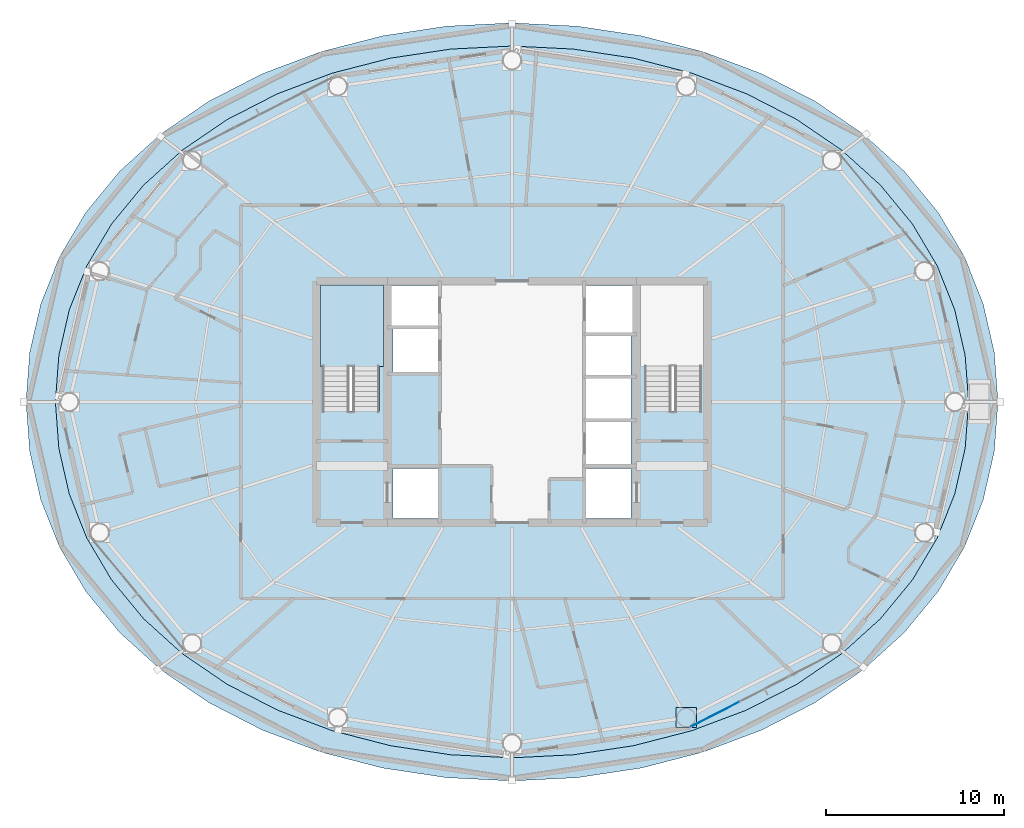
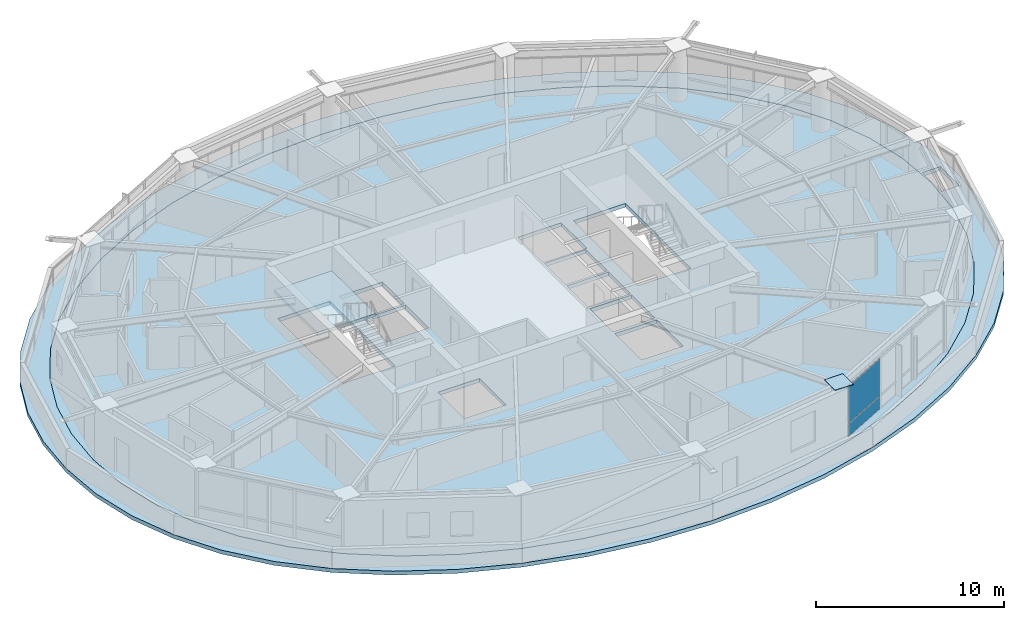
# One storey, part 13 of 22: 3 plates, 3 slabs, 2 elements without a shape of their own.
"""IFC4 building model written with IfcOpenShell, lengths in metres."""

import ifcopenshell
import ifcopenshell.guid

model = None  # the IFC model being written
_history = None  # IfcOwnerHistory: only IFC2X3 demands one
_inside = {}  # id of a spatial element -> (the spatial element, [elements in it])
_under = {}  # id of a project, library or spatial element -> (it, [spatial elements below it])
_declared = {}  # id of a project -> (the project, [libraries it declares])
_typed = {}  # id of a type object -> (the type object, [elements of that type])
_made_of = {}  # id of a material, layer set ... -> (it, [elements and type objects made of it])


def new_model(schema):
    """Start an empty IFC model of exactly this schema.

    Asked for "IFC4X3", IfcOpenShell would pick the latest addendum, in which some entities
    have other attributes; the version numbers below select the first issue.
    IFC2X3 requires an IfcOwnerHistory on every rooted entity: one is made here for all.
    """
    global model, _history
    if schema == "IFC4X3":
        model = ifcopenshell.file(schema_version=(4, 3, 0, 0))
    else:
        model = ifcopenshell.file(schema=schema)
    _inside.clear()
    _under.clear()
    _declared.clear()
    _typed.clear()
    _made_of.clear()
    _history = None
    if model.schema == "IFC2X3":
        org = make("IfcOrganization", Name="unknown")
        user = make(
            "IfcPersonAndOrganization",
            ThePerson=make("IfcPerson", FamilyName="unknown"),
            TheOrganization=org,
        )
        app = make(
            "IfcApplication",
            ApplicationDeveloper=org,
            Version="unknown",
            ApplicationFullName="unknown",
            ApplicationIdentifier="unknown",
        )
        _history = make(
            "IfcOwnerHistory",
            OwningUser=user,
            OwningApplication=app,
            ChangeAction="ADDED",
            CreationDate=0,
        )
    return model


def make(cls, **values):
    """One entity of the class cls with the attributes given. An attribute that is None is left unset."""
    return model.create_entity(
        cls, **{name: value for name, value in values.items() if value is not None}
    )


def rooted(cls, **values):
    """An entity with a GlobalId (a new one), such as an element, a storey or a relation."""
    return make(cls, GlobalId=ifcopenshell.guid.new(), OwnerHistory=_history, **values)


def si_unit(unit_type, name, prefix=None):
    """IfcSIUnit, for example si_unit("LENGTHUNIT", "METRE", prefix="MILLI")."""
    return make("IfcSIUnit", UnitType=unit_type, Prefix=prefix, Name=name)


def assignment(units):
    """IfcUnitAssignment: the units of a project."""
    return None if units is None else make("IfcUnitAssignment", Units=units)


def point(xyz):
    """IfcCartesianPoint."""
    return None if xyz is None else make("IfcCartesianPoint", Coordinates=xyz)


def direction(xyz):
    """IfcDirection."""
    return None if xyz is None else make("IfcDirection", DirectionRatios=xyz)


def frame(location, z_axis=None, x_axis=None):
    """IfcAxis2Placement3D, a coordinate frame: its origin and axes. An axis left out is left unset."""
    return make(
        "IfcAxis2Placement3D",
        Location=point(location),
        Axis=direction(z_axis),
        RefDirection=direction(x_axis),
    )


def frame_2d(location, x_axis=None):
    """IfcAxis2Placement2D, a coordinate frame in the plane: its origin and x axis."""
    return make(
        "IfcAxis2Placement2D", Location=point(location), RefDirection=direction(x_axis)
    )


def origin():
    """The frame at (0, 0, 0) with its axes left unset."""
    return frame((0.0, 0.0, 0.0))


def origin_2d():
    """The frame at (0, 0) in the plane with its x axis left unset."""
    return frame_2d((0.0, 0.0))


def place(relative_to, where):
    """IfcLocalPlacement: puts the frame where relative to a parent placement (None: the world)."""
    return make(
        "IfcLocalPlacement", PlacementRelTo=relative_to, RelativePlacement=where
    )


def context(
    kind, dimensions, precision=None, world=None, true_north=None, identifier=None
):
    """IfcGeometricRepresentationContext, for example the 3D "Model" context."""
    return make(
        "IfcGeometricRepresentationContext",
        ContextIdentifier=identifier,
        ContextType=kind,
        CoordinateSpaceDimension=dimensions,
        Precision=precision,
        WorldCoordinateSystem=world,
        TrueNorth=true_north,
    )


def subcontext(parent, identifier, kind, view, scale=None):
    """IfcGeometricRepresentationSubContext, for example "Body" below "Model"."""
    return make(
        "IfcGeometricRepresentationSubContext",
        ContextIdentifier=identifier,
        ContextType=kind,
        ParentContext=parent,
        TargetScale=scale,
        TargetView=view,
    )


def project(units=None, contexts=None):
    """IfcProject with its units and contexts."""
    return rooted(
        "IfcProject",
        Name="project",
        RepresentationContexts=contexts,
        UnitsInContext=assignment(units),
    )


def spatial(cls, under=None, at=None, **own):
    """A site, building, storey or space (cls), placed at a placement, below another one or the project."""
    s = rooted(cls, ObjectPlacement=at, **own)
    if under is not None:
        _under.setdefault(under.id(), (under, []))[1].append(s)
    return s


def polyline(points):
    """IfcPolyline through the points."""
    return make("IfcPolyline", Points=[point(p) for p in points])


def profile(cls, at=None, kind="AREA", **sizes):
    """A parametric profile (cls). Its sizes go by their IFC names, for example OverallWidth=200.0."""
    return make(cls, ProfileType=kind, Position=at, **sizes)


def rectangle(**sizes):
    """IfcRectangleProfileDef."""
    return profile("IfcRectangleProfileDef", **sizes)


def outline(outer, holes=None, kind="AREA"):
    """IfcArbitraryClosedProfileDef: a profile drawn as a closed curve; with holes, ...WithVoids."""
    if holes is None:
        return make("IfcArbitraryClosedProfileDef", ProfileType=kind, OuterCurve=outer)
    return make(
        "IfcArbitraryProfileDefWithVoids",
        ProfileType=kind,
        OuterCurve=outer,
        InnerCurves=holes,
    )


def extrude(swept, where, along, depth):
    """IfcExtrudedAreaSolid: the profile swept, set in the frame where, extruded along a direction by depth."""
    return make(
        "IfcExtrudedAreaSolid",
        SweptArea=swept,
        Position=where,
        ExtrudedDirection=direction(along),
        Depth=depth,
    )


def shape(context_of_items, identifier, shape_type, items):
    """IfcShapeRepresentation: the items that make up one representation, for example the "Body"."""
    return make(
        "IfcShapeRepresentation",
        ContextOfItems=context_of_items,
        RepresentationIdentifier=identifier,
        RepresentationType=shape_type,
        Items=items,
    )


def material(Name=None, Category=None):
    """IfcMaterial."""
    return make("IfcMaterial", Name=Name, Category=Category)


def layer(
    of_material, thickness, ventilated=None, Name=None, Category=None, Priority=None
):
    """IfcMaterialLayer: one layer of a wall or slab, of a material (None: an air gap)."""
    return make(
        "IfcMaterialLayer",
        Material=of_material,
        LayerThickness=thickness,
        IsVentilated=ventilated,
        Name=Name,
        Category=Category,
        Priority=Priority,
    )


def layer_set(layers, Name=None):
    """IfcMaterialLayerSet."""
    return make("IfcMaterialLayerSet", MaterialLayers=layers, LayerSetName=Name)


def made_of(thing, what):
    """Note that an element or type object is made of a material, layer set ...; save() writes the relation."""
    if what is not None:
        _made_of.setdefault(what.id(), (what, []))[1].append(thing)
    return thing


def type_object(cls, material=None, **own):
    """A type object (cls), such as IfcWallType, which elements share."""
    return made_of(rooted(cls, **own), material)


def element(
    cls,
    number,
    at=None,
    inside=None,
    cuts=None,
    type_object=None,
    material=None,
    context=None,
    identifier="Body",
    shape_type=None,
    held_by="IfcProductDefinitionShape",
    body=None,
    shapes=None,
    **own,
):
    """One element of the class cls, such as IfcWall. Its Tag is "e" and its number.

    at: its placement. inside: the storey or other place that contains it. cuts: it is an
    opening in that element (IfcRelVoidsElement). A single representation is given by context,
    identifier, shape_type and body (its items); several are given by shapes. held_by: the class
    of the entity that holds the representations. save() writes the other relations.
    """
    e = rooted(cls, Tag="e%d" % number, ObjectPlacement=at, **own)
    if body is not None:
        shapes = [shape(context, identifier, shape_type, body)]
    if shapes is not None:
        e.Representation = make(held_by, Representations=shapes)
    if inside is not None:
        _inside.setdefault(inside.id(), (inside, []))[1].append(e)
    if cuts is not None:
        rooted(
            "IfcRelVoidsElement", RelatingBuildingElement=cuts, RelatedOpeningElement=e
        )
    if type_object is not None:
        _typed.setdefault(type_object.id(), (type_object, []))[1].append(e)
    return made_of(e, material)


def aggregate(whole, parts):
    """IfcRelAggregates: a whole, such as a stair, and the parts it consists of."""
    return rooted("IfcRelAggregates", RelatingObject=whole, RelatedObjects=parts)


def save(model, path):
    """Write the relations noted so far, then the file.

    IfcRelAggregates (storeys below a building ...), IfcRelContainedInSpatialStructure (elements
    in a storey), IfcRelDefinesByType, IfcRelAssociatesMaterial and IfcRelDeclares: one each for
    every whole, place, type object, material and project.
    """
    for whole, parts in _under.values():
        aggregate(whole, parts)
    for where, things in _inside.values():
        rooted(
            "IfcRelContainedInSpatialStructure",
            RelatedElements=things,
            RelatingStructure=where,
        )
    for kind, things in _typed.values():
        rooted("IfcRelDefinesByType", RelatedObjects=things, RelatingType=kind)
    for what, things in _made_of.values():
        rooted("IfcRelAssociatesMaterial", RelatedObjects=things, RelatingMaterial=what)
    for by, libraries in _declared.values():
        rooted("IfcRelDeclares", RelatingContext=by, RelatedDefinitions=libraries)
    model.write(path)


model = new_model("IFC4")

# Units and contexts
model_context = context("Model", 3, precision=1e-05, world=origin(), true_north=direction((0.0, 1.0)))
body_context = subcontext(model_context, "Body", "Model", "MODEL_VIEW")
ifc_project = project(units=[si_unit("LENGTHUNIT", "METRE"), si_unit("AREAUNIT", "SQUARE_METRE"), si_unit("VOLUMEUNIT", "CUBIC_METRE"), si_unit("PLANEANGLEUNIT", "RADIAN"), si_unit("MASSUNIT", "GRAM", prefix="KILO")], contexts=[model_context])

# Site, building, storey
site_placement = place(None, origin())
site = spatial("IfcSite", under=ifc_project, at=site_placement, CompositionType="ELEMENT")
building_placement = place(site_placement, origin())
building = spatial("IfcBuilding", under=site, at=building_placement, Name="Sarneth Arch Tower", CompositionType="ELEMENT")
storey_placement = place(building_placement, frame((0.0, 0.0, 206.39990234375)))
storey = spatial("IfcBuildingStorey", under=building, at=storey_placement, Name="L52", CompositionType="ELEMENT", Elevation=206.39990234375)

# Curtain wall, plates
ifc_material_1 = material(Name="Anodised aluminium Type AA25 and solar-control low-e laminated IGU", Category="aluminium")
ifc_layer_1 = layer(ifc_material_1, 0.179931640625)
ifc_layer_set_1 = layer_set([ifc_layer_1], Name="Anodised aluminium Type AA25 and solar-control low-e laminated IGU")
curtain_wall_type = type_object("IfcCurtainWallType", Name="CW-RES-HIGH", PredefinedType="NOTDEFINED", material=ifc_layer_set_1)
curtain_wall_placement = place(storey_placement, origin())
curtain_wall = element("IfcCurtainWall", 1, at=curtain_wall_placement, inside=storey, type_object=curtain_wall_type, Name="L52 Unitised curtain wall facet 14", PredefinedType="NOTDEFINED")
ifc_material_2 = material(Name="Solar-control low-e laminated IGU", Category="glass")
ifc_layer_2 = layer(ifc_material_2, 0.028076171875)
ifc_layer_set_2 = layer_set([ifc_layer_2], Name="Solar-control low-e laminated IGU")
plate_type_1 = type_object("IfcPlateType", Name="CW-PANEL", PredefinedType="CURTAIN_PANEL", material=ifc_layer_set_2)
plate_1_placement = place(storey_placement, frame((59.4208984375, 24.447021484375, 0.06005859375), z_axis=(0.0, 0.0, 1.0), x_axis=(0.890009540525, 0.455941901753, 0.0)))
plate_1 = element("IfcPlate", 2, at=plate_1_placement, type_object=plate_type_1, Name="Curtain wall glazed vision pane CW-L52-F14/P00-00", PredefinedType="CURTAIN_PANEL", context=body_context, shape_type="SweptSolid", body=[
    extrude(rectangle(XDim=3.044677734375, YDim=0.028076171875, at=origin_2d()), origin(), (0.0, 0.0, 1.0), 0.81005859375),
])
plate_2_placement = place(storey_placement, frame((59.4208984375, 24.447021484375, 0.929931640625), z_axis=(0.0, 0.0, 1.0), x_axis=(0.890009540525, 0.455941901753, 0.0)))
plate_2 = element("IfcPlate", 3, at=plate_2_placement, type_object=plate_type_1, Name="Curtain wall glazed vision pane CW-L52-F14/P00-01", PredefinedType="CURTAIN_PANEL", context=body_context, shape_type="SweptSolid", body=[
    extrude(rectangle(XDim=3.044677734375, YDim=0.028076171875, at=origin_2d()), origin(), (0.0, 0.0, 1.0), 2.3701171875),
])
aggregate(curtain_wall, [plate_1, plate_2])

# Plate
ifc_material_3 = material(Name="Steel S355", Category="steel")
ifc_layer_3 = layer(ifc_material_3, 0.0400390625)
ifc_layer_set_3 = layer_set([ifc_layer_3], Name="Steel S355")
plate_type_2 = type_object("IfcPlateType", Name="PLT-SPLICE-40", PredefinedType="SHEET", material=ifc_layer_set_3)
plate_3_placement = place(storey_placement, frame((57.790771484375, 24.261474609375, 3.34228515625), z_axis=(0.0, 0.0, 1.0), x_axis=(1.0, 0.0, 0.0)))
element("IfcPlate", 4, at=plate_3_placement, inside=storey, type_object=plate_type_2, Name="Steel end cap plate GP-2", PredefinedType="SHEET", context=body_context, shape_type="SweptSolid", body=[
    extrude(rectangle(XDim=1.1298828125, YDim=1.1298828125, at=origin_2d()), origin(), (0.0, 0.0, 1.0), 0.035888671875),
])

# Stair, slab
ifc_material_4 = material(Name="Concrete C50/60", Category="concrete")
stair_type = type_object("IfcStairType", Name="STAIR-CORE-RC", PredefinedType="HALF_TURN_STAIR", material=ifc_material_4)
stair_placement = place(storey_placement, origin())
stair = element("IfcStair", 5, at=stair_placement, inside=storey, type_object=stair_type, Name="L52 Core Exit Stair 1", PredefinedType="HALF_TURN_STAIR")
ifc_material_5 = material(Name="Concrete C50/60", Category="concrete")
ifc_layer_4 = layer(ifc_material_5, 0.199951171875)
ifc_layer_set_4 = layer_set([ifc_layer_4], Name="Concrete C50/60")
slab_type_1 = type_object("IfcSlabType", Name="SLAB-LANDING-200", PredefinedType="LANDING", material=ifc_layer_set_4)
slab_1_placement = place(storey_placement, frame((0.0, 0.0, 1.60009765625)))
slab_1 = element("IfcSlab", 6, at=slab_1_placement, type_object=slab_type_1, Name="ST-1 landing 1", PredefinedType="LANDING", context=body_context, shape_type="SweptSolid", body=[
    extrude(outline(polyline([(37.22509765625, 43.985107421875), (40.77490234375, 43.985107421875), (40.77490234375, 48.574951171875), (37.22509765625, 48.574951171875), (37.22509765625, 43.985107421875)])), origin(), (0.0, 0.0, 1.0), 0.199951171875),
])
aggregate(stair, [slab_1])

# Slabs
ifc_material_6 = material(Name="Concrete C50/60", Category="concrete")
ifc_layer_5 = layer(ifc_material_6, 0.25)
ifc_layer_set_5 = layer_set([ifc_layer_5], Name="Concrete C50/60")
slab_type_2 = type_object("IfcSlabType", Name="SLAB-PODROOF-250", PredefinedType="ROOF", material=ifc_layer_set_5)
slab_2_placement = place(storey_placement, frame((0.0, 0.0, -0.25)))
element("IfcSlab", 7, at=slab_2_placement, inside=storey, type_object=slab_type_2, Name="L52 Setback maintenance roof ring", PredefinedType="ROOF", context=body_context, shape_type="SweptSolid", body=[
    extrude(outline(polyline([(75.313232421875, 42.0), (75.10595703125, 44.7802734375), (74.48095703125, 47.512939453125), (73.431396484375, 50.151123046875), (71.9521484375, 52.64990234375), (70.0458984375, 54.966552734375), (67.730712890625, 57.061279296875), (65.04052734375, 58.8984375), (62.025390625, 60.4462890625), (58.7470703125, 61.6787109375), (55.27197265625, 62.57421875), (51.667724609375, 63.11767578125), (48.0, 63.300048828125), (44.332275390625, 63.11767578125), (40.72802734375, 62.57421875), (37.2529296875, 61.6787109375), (33.974609375, 60.4462890625), (30.95947265625, 58.8984375), (28.269287109375, 57.061279296875), (25.9541015625, 54.966552734375), (24.0478515625, 52.64990234375), (22.568603515625, 50.151123046875), (21.51904296875, 47.512939453125), (20.89404296875, 44.7802734375), (20.686767578125, 42.0), (20.89404296875, 39.2197265625), (21.51904296875, 36.487060546875), (22.568603515625, 33.848876953125), (24.0478515625, 31.35009765625), (25.9541015625, 29.033447265625), (28.269287109375, 26.938720703125), (30.95947265625, 25.1015625), (33.974609375, 23.5537109375), (37.2529296875, 22.3212890625), (40.72802734375, 21.42578125), (44.332275390625, 20.88232421875), (48.0, 20.699951171875), (51.667724609375, 20.88232421875), (55.27197265625, 21.42578125), (58.7470703125, 22.3212890625), (62.025390625, 23.5537109375), (65.04052734375, 25.1015625), (67.730712890625, 26.938720703125), (70.0458984375, 29.033447265625), (71.9521484375, 31.35009765625), (73.431396484375, 33.848876953125), (74.48095703125, 36.487060546875), (75.10595703125, 39.2197265625), (75.313232421875, 42.0)]), holes=[polyline([(73.660888671875, 42.0), (73.466064453125, 44.610595703125), (72.87890625, 47.17626953125), (71.892822265625, 49.653564453125), (70.5029296875, 52.0), (68.712158203125, 54.17529296875), (66.536865234375, 56.14208984375), (64.009521484375, 57.8671875), (61.177001953125, 59.320556640625), (58.0966796875, 60.4775390625), (54.83203125, 61.318603515625), (51.44580078125, 61.828857421875), (48.0, 62.0), (44.55419921875, 61.828857421875), (41.16796875, 61.318603515625), (37.9033203125, 60.4775390625), (34.822998046875, 59.320556640625), (31.990478515625, 57.8671875), (29.463134765625, 56.14208984375), (27.287841796875, 54.17529296875), (25.4970703125, 52.0), (24.107177734375, 49.653564453125), (23.12109375, 47.17626953125), (22.533935546875, 44.610595703125), (22.339111328125, 42.0), (22.533935546875, 39.389404296875), (23.12109375, 36.82373046875), (24.107177734375, 34.346435546875), (25.4970703125, 32.0), (27.287841796875, 29.82470703125), (29.463134765625, 27.85791015625), (31.990478515625, 26.1328125), (34.822998046875, 24.679443359375), (37.9033203125, 23.5224609375), (41.16796875, 22.681396484375), (44.55419921875, 22.171142578125), (48.0, 22.0), (51.44580078125, 22.171142578125), (54.83203125, 22.681396484375), (58.0966796875, 23.5224609375), (61.177001953125, 24.679443359375), (64.009521484375, 26.1328125), (66.536865234375, 27.85791015625), (68.712158203125, 29.82470703125), (70.5029296875, 32.0), (71.892822265625, 34.346435546875), (72.87890625, 36.82373046875), (73.466064453125, 39.389404296875), (73.660888671875, 42.0)]), polyline([(73.7099609375, 41.0), (74.81005859375, 41.0), (74.81005859375, 43.0), (73.7099609375, 43.0), (73.7099609375, 41.0)])]), origin(), (0.0, 0.0, 1.0), 0.25),
])
ifc_material_7 = material(Name="Concrete C50/60", Category="concrete")
ifc_layer_6 = layer(ifc_material_7, 0.239990234375)
ifc_layer_set_6 = layer_set([ifc_layer_6], Name="Concrete C50/60")
slab_type_3 = type_object("IfcSlabType", Name="SLAB-TOWER-240", PredefinedType="FLOOR", material=ifc_layer_set_6)
slab_3_placement = place(storey_placement, frame((0.0, 0.0, -0.239990234375)))
element("IfcSlab", 8, at=slab_3_placement, inside=storey, type_object=slab_type_3, Name="L52 Elliptical floor slab", PredefinedType="FLOOR", context=body_context, shape_type="SweptSolid", body=[
    extrude(outline(polyline([(73.660888671875, 42.0), (73.466064453125, 44.610595703125), (72.87890625, 47.17626953125), (71.892822265625, 49.653564453125), (70.5029296875, 52.0), (68.712158203125, 54.17529296875), (66.536865234375, 56.14208984375), (64.009521484375, 57.8671875), (61.177001953125, 59.320556640625), (58.0966796875, 60.4775390625), (54.83203125, 61.318603515625), (51.44580078125, 61.828857421875), (48.0, 62.0), (44.55419921875, 61.828857421875), (41.16796875, 61.318603515625), (37.9033203125, 60.4775390625), (34.822998046875, 59.320556640625), (31.990478515625, 57.8671875), (29.463134765625, 56.14208984375), (27.287841796875, 54.17529296875), (25.4970703125, 52.0), (24.107177734375, 49.653564453125), (23.12109375, 47.17626953125), (22.533935546875, 44.610595703125), (22.339111328125, 42.0), (22.533935546875, 39.389404296875), (23.12109375, 36.82373046875), (24.107177734375, 34.346435546875), (25.4970703125, 32.0), (27.287841796875, 29.82470703125), (29.463134765625, 27.85791015625), (31.990478515625, 26.1328125), (34.822998046875, 24.679443359375), (37.9033203125, 23.5224609375), (41.16796875, 22.681396484375), (44.55419921875, 22.171142578125), (48.0, 22.0), (51.44580078125, 22.171142578125), (54.83203125, 22.681396484375), (58.0966796875, 23.5224609375), (61.177001953125, 24.679443359375), (64.009521484375, 26.1328125), (66.536865234375, 27.85791015625), (68.712158203125, 29.82470703125), (70.5029296875, 32.0), (71.892822265625, 34.346435546875), (72.87890625, 36.82373046875), (73.466064453125, 39.389404296875), (73.660888671875, 42.0)]), holes=[polyline([(37.35009765625, 41.489990234375), (40.550048828125, 41.489990234375), (40.550048828125, 48.39990234375), (37.35009765625, 48.39990234375), (37.35009765625, 41.489990234375)]), polyline([(55.449951171875, 41.489990234375), (58.64990234375, 41.489990234375), (58.64990234375, 48.39990234375), (55.449951171875, 48.39990234375), (55.449951171875, 41.489990234375)]), polyline([(41.199951171875, 46.25), (43.85009765625, 46.25), (43.85009765625, 48.550048828125), (41.199951171875, 48.550048828125), (41.199951171875, 46.25)]), polyline([(41.300048828125, 35.449951171875), (43.85009765625, 35.449951171875), (43.85009765625, 38.25), (41.300048828125, 38.25), (41.300048828125, 35.449951171875)]), polyline([(52.14990234375, 35.449951171875), (54.699951171875, 35.449951171875), (54.699951171875, 38.25), (52.14990234375, 38.25), (52.14990234375, 35.449951171875)]), polyline([(52.14990234375, 45.85009765625), (54.800048828125, 45.85009765625), (54.800048828125, 48.550048828125), (52.14990234375, 48.550048828125), (52.14990234375, 45.85009765625)]), polyline([(41.300048828125, 43.64990234375), (43.85009765625, 43.64990234375), (43.85009765625, 46.10009765625), (41.300048828125, 46.10009765625), (41.300048828125, 43.64990234375)]), polyline([(52.14990234375, 38.449951171875), (54.699951171875, 38.449951171875), (54.699951171875, 40.89990234375), (52.14990234375, 40.89990234375), (52.14990234375, 38.449951171875)]), polyline([(52.14990234375, 41.050048828125), (54.699951171875, 41.050048828125), (54.699951171875, 43.35009765625), (52.14990234375, 43.35009765625), (52.14990234375, 41.050048828125)]), polyline([(52.14990234375, 43.5), (54.699951171875, 43.5), (54.699951171875, 45.75), (52.14990234375, 45.75), (52.14990234375, 43.5)])]), origin(), (0.0, 0.0, 1.0), 0.239990234375),
])

save(model, "model.ifc")
